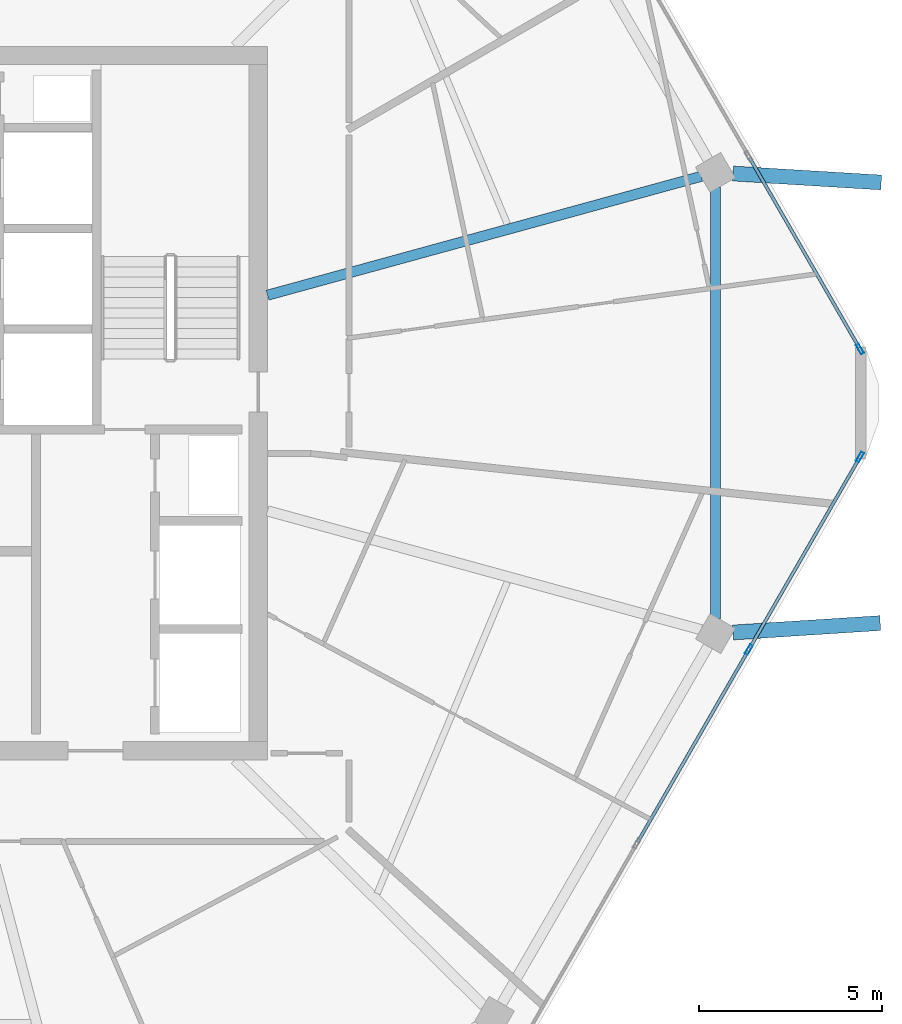
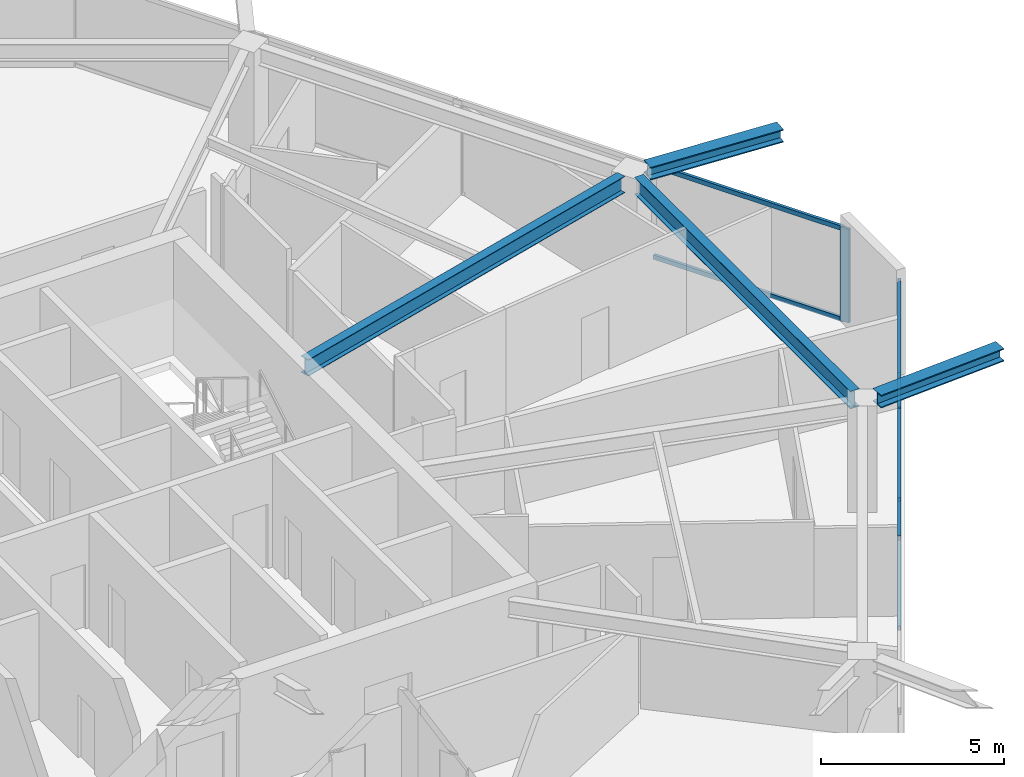
# One storey, part 7 of 20: 9 members, 4 beams, 2 elements without a shape of their own.
"""IFC4 building model written with IfcOpenShell, lengths in metres."""

from ifc_helpers import new_model, si_unit, direction, frame, origin, origin_2d, place, context, subcontext, project, spatial, hollow_rectangle, i_section, extrude, material, material_profile, profile_set, type_object, element, aggregate, save


model = new_model("IFC4")

# Units and contexts
model_context = context("Model", 3, precision=1e-05, world=origin(), true_north=direction((0.0, 1.0)))
body_context = subcontext(model_context, "Body", "Model", "MODEL_VIEW")
ifc_project = project(units=[si_unit("LENGTHUNIT", "METRE"), si_unit("AREAUNIT", "SQUARE_METRE"), si_unit("VOLUMEUNIT", "CUBIC_METRE"), si_unit("PLANEANGLEUNIT", "RADIAN"), si_unit("MASSUNIT", "GRAM", prefix="KILO")], contexts=[model_context])

# Site, building, storey
site_placement = place(None, origin())
site = spatial("IfcSite", under=ifc_project, at=site_placement, CompositionType="ELEMENT")
building_placement = place(site_placement, origin())
building = spatial("IfcBuilding", under=site, at=building_placement, Name="Zuhravey Tower", CompositionType="ELEMENT")
storey_placement = place(building_placement, frame((0.0, 0.0, 312.0)))
storey = spatial("IfcBuildingStorey", under=building, at=storey_placement, Name="L79", CompositionType="ELEMENT", Elevation=312.0)

# Curtain wall, members
ifc_material_1 = material(Name="Thermally broken anodised aluminium", Category="aluminium")
curtain_wall_type = type_object("IfcCurtainWallType", Name="Zone 3-4 High-Rise Curtain Wall CW4", PredefinedType="NOTDEFINED", material=ifc_material_1)
curtain_wall_1_placement = place(storey_placement, origin())
curtain_wall_1 = element("IfcCurtainWall", 1, at=curtain_wall_1_placement, inside=storey, type_object=curtain_wall_type, Name="L79 CW4 CW-L79-F6-1", PredefinedType="NOTDEFINED")
ifc_material_2 = material(Name="Anodised aluminium", Category="aluminium")
ifc_material_profile_1 = material_profile(ifc_material_2, hollow_rectangle(XDim=0.090087890625, YDim=0.284912109375, WallThickness=0.0048828125, at=origin_2d()), Name="ALU-RHS-90x285x5")
ifc_profile_set_1 = profile_set([ifc_material_profile_1], Name="Anodised aluminium")
member_type_1 = type_object("IfcMemberType", Name="Curtain-Wall Mullion 90x180", PredefinedType="MULLION", material=ifc_profile_set_1)
member_1_placement = place(storey_placement, frame((62.94580078125, 30.5234375, 0.0), z_axis=(0.0, 0.0, 1.0), x_axis=(0.866025511541, -0.49999981336, 0.0)))
member_1 = element("IfcMember", 2, at=member_1_placement, type_object=member_type_1, Name="CW4 mullion 1", PredefinedType="MULLION", context=body_context, shape_type="SweptSolid", body=[
    extrude(hollow_rectangle(XDim=0.090087890625, YDim=0.284912109375, WallThickness=0.0048828125, at=origin_2d()), origin(), (0.0, 0.0, 1.0), 3.1220703125),
])
member_2_placement = place(storey_placement, frame((59.90869140625, 25.2626953125, 0.0), z_axis=(0.0, 0.0, 1.0), x_axis=(0.866025511541, -0.49999981336, 0.0)))
member_2 = element("IfcMember", 3, at=member_2_placement, type_object=member_type_1, Name="CW4 mullion 2", PredefinedType="MULLION", context=body_context, shape_type="SweptSolid", body=[
    extrude(hollow_rectangle(XDim=0.090087890625, YDim=0.284912109375, WallThickness=0.0048828125, at=origin_2d()), origin(), (0.0, 0.0, 1.0), 3.1220703125),
])

# Curtain wall, member
curtain_wall_2_placement = place(storey_placement, origin())
curtain_wall_2 = element("IfcCurtainWall", 4, at=curtain_wall_2_placement, inside=storey, type_object=curtain_wall_type, Name="L79 CW4 CW-L79-F1-1", PredefinedType="NOTDEFINED")
member_3_placement = place(storey_placement, frame((62.94580078125, 33.4765625, 0.0), z_axis=(0.0, 0.0, 1.0), x_axis=(0.866025511541, 0.49999981336, 0.0)))
member_3 = element("IfcMember", 5, at=member_3_placement, type_object=member_type_1, Name="CW4 mullion 5", PredefinedType="MULLION", context=body_context, shape_type="SweptSolid", body=[
    extrude(hollow_rectangle(XDim=0.090087890625, YDim=0.284912109375, WallThickness=0.0048828125, at=origin_2d()), origin(), (0.0, 0.0, 1.0), 3.1220703125),
])

# Member
ifc_material_profile_2 = material_profile(ifc_material_2, hollow_rectangle(XDim=0.090087890625, YDim=0.14990234375, WallThickness=0.0048828125, at=origin_2d()), Name="ALU-RHS-90x150x5")
ifc_profile_set_2 = profile_set([ifc_material_profile_2], Name="Anodised aluminium")
member_type_2 = type_object("IfcMemberType", Name="Curtain-Wall Transom 90x150", PredefinedType="USERDEFINED", material=ifc_profile_set_2)
member_4_placement = place(storey_placement, frame((62.92333984375, 30.484619140625, 0.044921875), z_axis=(-0.499982594807, -0.866035452444, 0.0), x_axis=(0.866035452444, -0.499982594807, 0.0)))
member_4 = element("IfcMember", 6, at=member_4_placement, type_object=member_type_2, Name="CW4 transom 1.1", ObjectType="TRANSOM", PredefinedType="USERDEFINED", context=body_context, shape_type="SweptSolid", body=[
    extrude(hollow_rectangle(XDim=0.090087890625, YDim=0.14990234375, WallThickness=0.0048828125, at=origin_2d()), origin(), (0.0, 0.0, 1.0), 5.984619140625),
])

member_5_placement = place(storey_placement, frame((62.92333984375, 30.484619140625, 3.076904296875), z_axis=(-0.499982594807, -0.866035452444, 0.0), x_axis=(0.866035452444, -0.499982594807, 0.0)))
member_5 = element("IfcMember", 7, at=member_5_placement, type_object=member_type_2, Name="CW4 transom 1.2", ObjectType="TRANSOM", PredefinedType="USERDEFINED", context=body_context, shape_type="SweptSolid", body=[
    extrude(hollow_rectangle(XDim=0.090087890625, YDim=0.14990234375, WallThickness=0.0048828125, at=origin_2d()), origin(), (0.0, 0.0, 1.0), 5.984619140625),
])

member_6_placement = place(storey_placement, frame((59.885986328125, 25.2236328125, 0.044921875), z_axis=(-0.499988837749, -0.866031848217, 0.0), x_axis=(0.866031848217, -0.499988837749, 0.0)))
member_6 = element("IfcMember", 8, at=member_6_placement, type_object=member_type_2, Name="CW4 transom 2.1", ObjectType="TRANSOM", PredefinedType="USERDEFINED", context=body_context, shape_type="SweptSolid", body=[
    extrude(hollow_rectangle(XDim=0.090087890625, YDim=0.14990234375, WallThickness=0.0048828125, at=origin_2d()), origin(), (0.0, 0.0, 1.0), 6.029541015625),
])

member_7_placement = place(storey_placement, frame((59.885986328125, 25.2236328125, 3.076904296875), z_axis=(-0.499988837749, -0.866031848217, 0.0), x_axis=(0.866031848217, -0.499988837749, 0.0)))
member_7 = element("IfcMember", 9, at=member_7_placement, type_object=member_type_2, Name="CW4 transom 2.2", ObjectType="TRANSOM", PredefinedType="USERDEFINED", context=body_context, shape_type="SweptSolid", body=[
    extrude(hollow_rectangle(XDim=0.090087890625, YDim=0.14990234375, WallThickness=0.0048828125, at=origin_2d()), origin(), (0.0, 0.0, 1.0), 6.029541015625),
])

aggregate(curtain_wall_1, [member_1, member_2, member_4, member_5, member_6, member_7])

member_8_placement = place(storey_placement, frame((59.93115234375, 38.6982421875, 0.044921875), z_axis=(0.499982594807, -0.866035452444, 0.0), x_axis=(0.866035452444, 0.499982594807, 0.0)))
member_8 = element("IfcMember", 10, at=member_8_placement, type_object=member_type_2, Name="CW4 transom 4.1", ObjectType="TRANSOM", PredefinedType="USERDEFINED", context=body_context, shape_type="SweptSolid", body=[
    extrude(hollow_rectangle(XDim=0.090087890625, YDim=0.14990234375, WallThickness=0.0048828125, at=origin_2d()), origin(), (0.0, 0.0, 1.0), 5.984619140625),
])

member_9_placement = place(storey_placement, frame((59.93115234375, 38.6982421875, 3.076904296875), z_axis=(0.499982594807, -0.866035452444, 0.0), x_axis=(0.866035452444, 0.499982594807, 0.0)))
member_9 = element("IfcMember", 11, at=member_9_placement, type_object=member_type_2, Name="CW4 transom 4.2", ObjectType="TRANSOM", PredefinedType="USERDEFINED", context=body_context, shape_type="SweptSolid", body=[
    extrude(hollow_rectangle(XDim=0.090087890625, YDim=0.14990234375, WallThickness=0.0048828125, at=origin_2d()), origin(), (0.0, 0.0, 1.0), 5.984619140625),
])

aggregate(curtain_wall_2, [member_3, member_8, member_9])

# Beams
ifc_material_3 = material(Name="Steel SM460", Category="steel")
ifc_material_profile_3 = material_profile(ifc_material_3, i_section(OverallWidth=0.406982421875, OverallDepth=0.427978515625, WebThickness=0.02001953125, FlangeThickness=0.034912109375, at=origin_2d()), Name="H-428x407x20x35")
ifc_profile_set_3 = profile_set([ifc_material_profile_3], Name="Steel SM460")
beam_type_1 = type_object("IfcBeamType", Name="Exoskeleton Node Tie Beam H428x407", PredefinedType="BEAM", material=ifc_profile_set_3)
beam_1_placement = place(storey_placement, frame((59.475830078125, 38.273193359375, 3.3359375), z_axis=(0.998183334896, -0.060249729753, 0.0), x_axis=(0.060249729753, 0.998183334896, 0.0)))
element("IfcBeam", 12, at=beam_1_placement, inside=storey, type_object=beam_type_1, Name="L79 Exoskeleton Node Tie NT1-01", PredefinedType="BEAM", context=body_context, shape_type="SweptSolid", body=[
    extrude(i_section(OverallWidth=0.406982421875, OverallDepth=0.427978515625, WebThickness=0.02001953125, FlangeThickness=0.034912109375, at=origin_2d()), origin(), (0.0, 0.0, 1.0), 4.05615234375),
])
beam_2_placement = place(storey_placement, frame((59.47705078125, 25.728515625, 3.3359375), z_axis=(0.997955458002, 0.063913252485, 0.0), x_axis=(-0.063913252485, 0.997955458002, 0.0)))
element("IfcBeam", 13, at=beam_2_placement, inside=storey, type_object=beam_type_1, Name="L79 Exoskeleton Node Tie NT1-12", PredefinedType="BEAM", context=body_context, shape_type="SweptSolid", body=[
    extrude(i_section(OverallWidth=0.406982421875, OverallDepth=0.427978515625, WebThickness=0.02001953125, FlangeThickness=0.034912109375, at=origin_2d()), origin(), (0.0, 0.0, 1.0), 4.030029296875),
])
ifc_material_4 = material(Name="Steel SM355", Category="steel")
ifc_material_profile_4 = material_profile(ifc_material_4, i_section(OverallWidth=0.280029296875, OverallDepth=0.580078125, WebThickness=0.011962890625, FlangeThickness=0.01904296875, at=origin_2d()), Name="H-580x280x12x19")
ifc_profile_set_4 = profile_set([ifc_material_profile_4], Name="Steel SM355")
beam_type_2 = type_object("IfcBeamType", Name="Perimeter Ring Beam H580x280", PredefinedType="BEAM", material=ifc_profile_set_4)
beam_3_placement = place(storey_placement, frame((58.993408203125, 26.1005859375, 3.260009765625), z_axis=(0.0, 1.0, 0.0), x_axis=(-1.0, 0.0, 0.0)))
element("IfcBeam", 14, at=beam_3_placement, inside=storey, type_object=beam_type_2, Name="L79 PB4 BM-L79-PB-12", PredefinedType="BEAM", context=body_context, shape_type="SweptSolid", body=[
    extrude(i_section(OverallWidth=0.280029296875, OverallDepth=0.580078125, WebThickness=0.011962890625, FlangeThickness=0.01904296875, at=origin_2d()), origin(), (0.0, 0.0, 1.0), 11.798828125),
])
ifc_material_profile_5 = material_profile(ifc_material_4, i_section(OverallWidth=0.280029296875, OverallDepth=0.550048828125, WebThickness=0.010986328125, FlangeThickness=0.01806640625, at=origin_2d()), Name="H-550x280x11x18")
ifc_profile_set_5 = profile_set([ifc_material_profile_5], Name="Steel SM355")
beam_type_3 = type_object("IfcBeamType", Name="Radial Primary Girder H550x280", PredefinedType="BEAM", material=ifc_profile_set_5)
beam_4_placement = place(storey_placement, frame((46.7529296875, 34.947265625, 3.27490234375), z_axis=(0.964427903067, 0.264346022829, 0.0), x_axis=(-0.264346022829, 0.964427903067, 0.0)))
element("IfcBeam", 15, at=beam_4_placement, inside=storey, type_object=beam_type_3, Name="L79 RG4 BM-L79-RAD-01", PredefinedType="BEAM", context=body_context, shape_type="SweptSolid", body=[
    extrude(i_section(OverallWidth=0.280029296875, OverallDepth=0.550048828125, WebThickness=0.010986328125, FlangeThickness=0.01806640625, at=origin_2d()), origin(), (0.0, 0.0, 1.0), 12.2890625),
])

save(model, "model.ifc")
